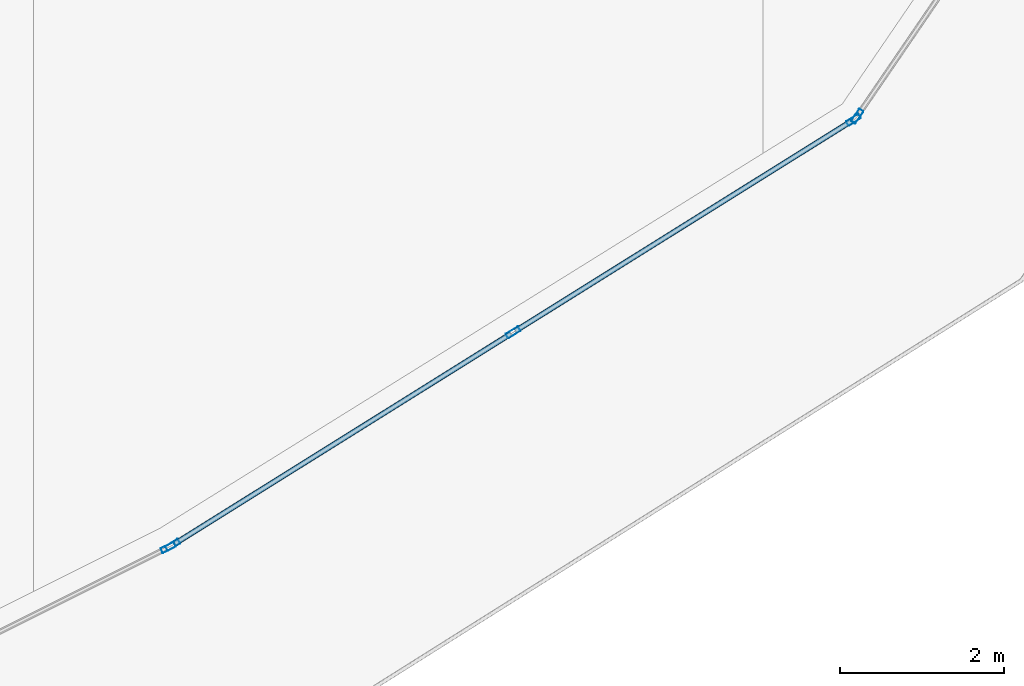
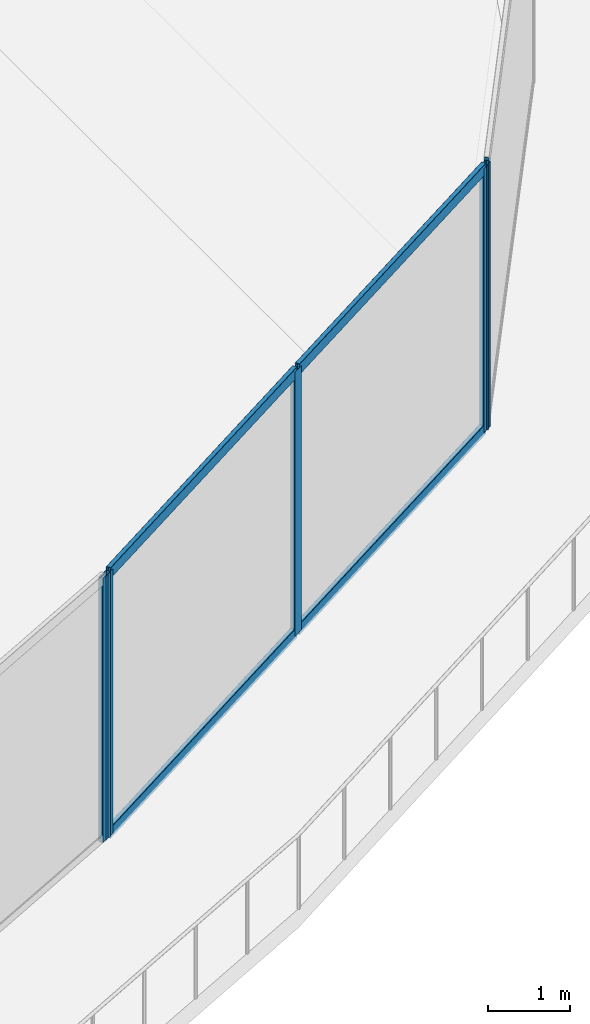
# One storey, part 11 of 52: 9 members, 3 elements without a shape of their own.
"""IFC4 building model written with IfcOpenShell, lengths in metres."""

import ifcopenshell
import ifcopenshell.guid

model = None  # the IFC model being written
_history = None  # IfcOwnerHistory: only IFC2X3 demands one
_inside = {}  # id of a spatial element -> (the spatial element, [elements in it])
_under = {}  # id of a project, library or spatial element -> (it, [spatial elements below it])
_declared = {}  # id of a project -> (the project, [libraries it declares])
_typed = {}  # id of a type object -> (the type object, [elements of that type])
_made_of = {}  # id of a material, layer set ... -> (it, [elements and type objects made of it])


def new_model(schema):
    """Start an empty IFC model of exactly this schema.

    Asked for "IFC4X3", IfcOpenShell would pick the latest addendum, in which some entities
    have other attributes; the version numbers below select the first issue.
    IFC2X3 requires an IfcOwnerHistory on every rooted entity: one is made here for all.
    """
    global model, _history
    if schema == "IFC4X3":
        model = ifcopenshell.file(schema_version=(4, 3, 0, 0))
    else:
        model = ifcopenshell.file(schema=schema)
    _inside.clear()
    _under.clear()
    _declared.clear()
    _typed.clear()
    _made_of.clear()
    _history = None
    if model.schema == "IFC2X3":
        org = make("IfcOrganization", Name="unknown")
        user = make(
            "IfcPersonAndOrganization",
            ThePerson=make("IfcPerson", FamilyName="unknown"),
            TheOrganization=org,
        )
        app = make(
            "IfcApplication",
            ApplicationDeveloper=org,
            Version="unknown",
            ApplicationFullName="unknown",
            ApplicationIdentifier="unknown",
        )
        _history = make(
            "IfcOwnerHistory",
            OwningUser=user,
            OwningApplication=app,
            ChangeAction="ADDED",
            CreationDate=0,
        )
    return model


def make(cls, **values):
    """One entity of the class cls with the attributes given. An attribute that is None is left unset."""
    return model.create_entity(
        cls, **{name: value for name, value in values.items() if value is not None}
    )


def rooted(cls, **values):
    """An entity with a GlobalId (a new one), such as an element, a storey or a relation."""
    return make(cls, GlobalId=ifcopenshell.guid.new(), OwnerHistory=_history, **values)


def si_unit(unit_type, name, prefix=None):
    """IfcSIUnit, for example si_unit("LENGTHUNIT", "METRE", prefix="MILLI")."""
    return make("IfcSIUnit", UnitType=unit_type, Prefix=prefix, Name=name)


def assignment(units):
    """IfcUnitAssignment: the units of a project."""
    return None if units is None else make("IfcUnitAssignment", Units=units)


def point(xyz):
    """IfcCartesianPoint."""
    return None if xyz is None else make("IfcCartesianPoint", Coordinates=xyz)


def direction(xyz):
    """IfcDirection."""
    return None if xyz is None else make("IfcDirection", DirectionRatios=xyz)


def frame(location, z_axis=None, x_axis=None):
    """IfcAxis2Placement3D, a coordinate frame: its origin and axes. An axis left out is left unset."""
    return make(
        "IfcAxis2Placement3D",
        Location=point(location),
        Axis=direction(z_axis),
        RefDirection=direction(x_axis),
    )


def frame_2d(location, x_axis=None):
    """IfcAxis2Placement2D, a coordinate frame in the plane: its origin and x axis."""
    return make(
        "IfcAxis2Placement2D", Location=point(location), RefDirection=direction(x_axis)
    )


def origin():
    """The frame at (0, 0, 0) with its axes left unset."""
    return frame((0.0, 0.0, 0.0))


def origin_2d():
    """The frame at (0, 0) in the plane with its x axis left unset."""
    return frame_2d((0.0, 0.0))


def place(relative_to, where):
    """IfcLocalPlacement: puts the frame where relative to a parent placement (None: the world)."""
    return make(
        "IfcLocalPlacement", PlacementRelTo=relative_to, RelativePlacement=where
    )


def context(
    kind, dimensions, precision=None, world=None, true_north=None, identifier=None
):
    """IfcGeometricRepresentationContext, for example the 3D "Model" context."""
    return make(
        "IfcGeometricRepresentationContext",
        ContextIdentifier=identifier,
        ContextType=kind,
        CoordinateSpaceDimension=dimensions,
        Precision=precision,
        WorldCoordinateSystem=world,
        TrueNorth=true_north,
    )


def subcontext(parent, identifier, kind, view, scale=None):
    """IfcGeometricRepresentationSubContext, for example "Body" below "Model"."""
    return make(
        "IfcGeometricRepresentationSubContext",
        ContextIdentifier=identifier,
        ContextType=kind,
        ParentContext=parent,
        TargetScale=scale,
        TargetView=view,
    )


def project(units=None, contexts=None):
    """IfcProject with its units and contexts."""
    return rooted(
        "IfcProject",
        Name="project",
        RepresentationContexts=contexts,
        UnitsInContext=assignment(units),
    )


def spatial(cls, under=None, at=None, **own):
    """A site, building, storey or space (cls), placed at a placement, below another one or the project."""
    s = rooted(cls, ObjectPlacement=at, **own)
    if under is not None:
        _under.setdefault(under.id(), (under, []))[1].append(s)
    return s


def profile(cls, at=None, kind="AREA", **sizes):
    """A parametric profile (cls). Its sizes go by their IFC names, for example OverallWidth=200.0."""
    return make(cls, ProfileType=kind, Position=at, **sizes)


def hollow_rectangle(**sizes):
    """IfcRectangleHollowProfileDef."""
    return profile("IfcRectangleHollowProfileDef", **sizes)


def extrude(swept, where, along, depth):
    """IfcExtrudedAreaSolid: the profile swept, set in the frame where, extruded along a direction by depth."""
    return make(
        "IfcExtrudedAreaSolid",
        SweptArea=swept,
        Position=where,
        ExtrudedDirection=direction(along),
        Depth=depth,
    )


def shape(context_of_items, identifier, shape_type, items):
    """IfcShapeRepresentation: the items that make up one representation, for example the "Body"."""
    return make(
        "IfcShapeRepresentation",
        ContextOfItems=context_of_items,
        RepresentationIdentifier=identifier,
        RepresentationType=shape_type,
        Items=items,
    )


def material(Name=None, Category=None):
    """IfcMaterial."""
    return make("IfcMaterial", Name=Name, Category=Category)


def layer(
    of_material, thickness, ventilated=None, Name=None, Category=None, Priority=None
):
    """IfcMaterialLayer: one layer of a wall or slab, of a material (None: an air gap)."""
    return make(
        "IfcMaterialLayer",
        Material=of_material,
        LayerThickness=thickness,
        IsVentilated=ventilated,
        Name=Name,
        Category=Category,
        Priority=Priority,
    )


def layer_set(layers, Name=None):
    """IfcMaterialLayerSet."""
    return make("IfcMaterialLayerSet", MaterialLayers=layers, LayerSetName=Name)


def material_profile(
    of_material, cross_section, Name=None, Category=None, Priority=None
):
    """IfcMaterialProfile: a cross section and its material."""
    return make(
        "IfcMaterialProfile",
        Name=Name,
        Material=of_material,
        Profile=cross_section,
        Priority=Priority,
        Category=Category,
    )


def profile_set(profiles, Name=None, composite=None):
    """IfcMaterialProfileSet."""
    return make(
        "IfcMaterialProfileSet",
        Name=Name,
        MaterialProfiles=profiles,
        CompositeProfile=composite,
    )


def made_of(thing, what):
    """Note that an element or type object is made of a material, layer set ...; save() writes the relation."""
    if what is not None:
        _made_of.setdefault(what.id(), (what, []))[1].append(thing)
    return thing


def type_object(cls, material=None, **own):
    """A type object (cls), such as IfcWallType, which elements share."""
    return made_of(rooted(cls, **own), material)


def element(
    cls,
    number,
    at=None,
    inside=None,
    cuts=None,
    type_object=None,
    material=None,
    context=None,
    identifier="Body",
    shape_type=None,
    held_by="IfcProductDefinitionShape",
    body=None,
    shapes=None,
    **own,
):
    """One element of the class cls, such as IfcWall. Its Tag is "e" and its number.

    at: its placement. inside: the storey or other place that contains it. cuts: it is an
    opening in that element (IfcRelVoidsElement). A single representation is given by context,
    identifier, shape_type and body (its items); several are given by shapes. held_by: the class
    of the entity that holds the representations. save() writes the other relations.
    """
    e = rooted(cls, Tag="e%d" % number, ObjectPlacement=at, **own)
    if body is not None:
        shapes = [shape(context, identifier, shape_type, body)]
    if shapes is not None:
        e.Representation = make(held_by, Representations=shapes)
    if inside is not None:
        _inside.setdefault(inside.id(), (inside, []))[1].append(e)
    if cuts is not None:
        rooted(
            "IfcRelVoidsElement", RelatingBuildingElement=cuts, RelatedOpeningElement=e
        )
    if type_object is not None:
        _typed.setdefault(type_object.id(), (type_object, []))[1].append(e)
    return made_of(e, material)


def aggregate(whole, parts):
    """IfcRelAggregates: a whole, such as a stair, and the parts it consists of."""
    return rooted("IfcRelAggregates", RelatingObject=whole, RelatedObjects=parts)


def save(model, path):
    """Write the relations noted so far, then the file.

    IfcRelAggregates (storeys below a building ...), IfcRelContainedInSpatialStructure (elements
    in a storey), IfcRelDefinesByType, IfcRelAssociatesMaterial and IfcRelDeclares: one each for
    every whole, place, type object, material and project.
    """
    for whole, parts in _under.values():
        aggregate(whole, parts)
    for where, things in _inside.values():
        rooted(
            "IfcRelContainedInSpatialStructure",
            RelatedElements=things,
            RelatingStructure=where,
        )
    for kind, things in _typed.values():
        rooted("IfcRelDefinesByType", RelatedObjects=things, RelatingType=kind)
    for what, things in _made_of.values():
        rooted("IfcRelAssociatesMaterial", RelatedObjects=things, RelatingMaterial=what)
    for by, libraries in _declared.values():
        rooted("IfcRelDeclares", RelatingContext=by, RelatedDefinitions=libraries)
    model.write(path)


model = new_model("IFC4")

# Units and contexts
model_context = context("Model", 3, precision=1e-05, world=origin(), true_north=direction((0.0, 1.0)))
body_context = subcontext(model_context, "Body", "Model", "MODEL_VIEW")
ifc_project = project(units=[si_unit("LENGTHUNIT", "METRE"), si_unit("AREAUNIT", "SQUARE_METRE"), si_unit("VOLUMEUNIT", "CUBIC_METRE"), si_unit("PLANEANGLEUNIT", "RADIAN"), si_unit("MASSUNIT", "GRAM", prefix="KILO")], contexts=[model_context])

# Site, building, storey
site_placement = place(None, origin())
site = spatial("IfcSite", under=ifc_project, at=site_placement, CompositionType="ELEMENT")
building_placement = place(site_placement, origin())
building = spatial("IfcBuilding", under=site, at=building_placement, Name="Qorvath Tower", CompositionType="ELEMENT")
storey_placement = place(building_placement, frame((0.0, 0.0, 61.800048828125)))
storey = spatial("IfcBuildingStorey", under=building, at=storey_placement, Name="L13", CompositionType="ELEMENT", Elevation=61.800048828125)

# Curtain wall, member
ifc_material_1 = material(Name="Anodised aluminium and triple low-E glass", Category="aluminium")
ifc_layer = layer(ifc_material_1, 0.179931640625)
ifc_layer_set = layer_set([ifc_layer], Name="CW-SYS-2")
curtain_wall_type = type_object("IfcCurtainWallType", Name="CW-SYS-2", PredefinedType="NOTDEFINED", material=ifc_layer_set)
curtain_wall_1_placement = place(storey_placement, origin())
curtain_wall_1 = element("IfcCurtainWall", 1, at=curtain_wall_1_placement, inside=storey, type_object=curtain_wall_type, Name="Curtain Wall CW-2 CW-T-L13-3.1", PredefinedType="NOTDEFINED")
ifc_material_2 = material(Name="Anodised aluminium 6063-T6", Category="aluminium")
ifc_material_profile_1 = material_profile(ifc_material_2, hollow_rectangle(XDim=0.06494140625, YDim=0.179931640625, WallThickness=0.00341796875, InnerFilletRadius=0.00341796875, OuterFilletRadius=0.007080078125, at=origin_2d()), Name="CWM 180x65")
ifc_profile_set_1 = profile_set([ifc_material_profile_1], Name="Anodised aluminium 6063-T6")
member_type_1 = type_object("IfcMemberType", Name="CWM-180", PredefinedType="MULLION", material=ifc_profile_set_1)
member_1_placement = place(storey_placement, frame((-10.397705078125, -30.495849609375, 0.0), z_axis=(0.0, 0.0, 1.0), x_axis=(-0.447213595499, 0.894427191001, 0.0)))
member_1 = element("IfcMember", 2, at=member_1_placement, type_object=member_type_1, Name="CW-2 mullion 2", PredefinedType="MULLION", context=body_context, shape_type="SweptSolid", body=[
    extrude(hollow_rectangle(XDim=0.06494140625, YDim=0.179931640625, WallThickness=0.00341796875, InnerFilletRadius=0.00341796875, OuterFilletRadius=0.007080078125, at=origin_2d()), origin(), (0.0, 0.0, 1.0), 3.919921875),
])
aggregate(curtain_wall_1, [member_1])

# Curtain wall, members
curtain_wall_2_placement = place(storey_placement, origin())
curtain_wall_2 = element("IfcCurtainWall", 3, at=curtain_wall_2_placement, inside=storey, type_object=curtain_wall_type, Name="Curtain Wall CW-2 CW-T-L13-4.1", PredefinedType="NOTDEFINED")
member_2_placement = place(storey_placement, frame((-10.341064453125, -30.4638671875, 0.0), z_axis=(0.0, 0.0, 1.0), x_axis=(-0.529691684986, 0.848190261001, 0.0)))
member_2 = element("IfcMember", 4, at=member_2_placement, type_object=member_type_1, Name="CW-2 mullion 1", PredefinedType="MULLION", context=body_context, shape_type="SweptSolid", body=[
    extrude(hollow_rectangle(XDim=0.06494140625, YDim=0.179931640625, WallThickness=0.00341796875, InnerFilletRadius=0.00341796875, OuterFilletRadius=0.007080078125, at=origin_2d()), origin(), (0.0, 0.0, 1.0), 3.919921875),
])
member_3_placement = place(storey_placement, frame((-6.199462890625, -27.87744140625, 0.0), z_axis=(0.0, 0.0, 1.0), x_axis=(-0.529691684986, 0.848190261001, 0.0)))
member_3 = element("IfcMember", 5, at=member_3_placement, type_object=member_type_1, Name="CW-2 mullion 2", PredefinedType="MULLION", context=body_context, shape_type="SweptSolid", body=[
    extrude(hollow_rectangle(XDim=0.06494140625, YDim=0.179931640625, WallThickness=0.00341796875, InnerFilletRadius=0.00341796875, OuterFilletRadius=0.007080078125, at=origin_2d()), origin(), (0.0, 0.0, 1.0), 3.919921875),
])
member_4_placement = place(storey_placement, frame((-2.057861328125, -25.291015625, 0.0), z_axis=(0.0, 0.0, 1.0), x_axis=(-0.529691684986, 0.848190261001, 0.0)))
member_4 = element("IfcMember", 6, at=member_4_placement, type_object=member_type_1, Name="CW-2 mullion 3", PredefinedType="MULLION", context=body_context, shape_type="SweptSolid", body=[
    extrude(hollow_rectangle(XDim=0.06494140625, YDim=0.179931640625, WallThickness=0.00341796875, InnerFilletRadius=0.00341796875, OuterFilletRadius=0.007080078125, at=origin_2d()), origin(), (0.0, 0.0, 1.0), 3.919921875),
])

# Curtain wall, member
curtain_wall_3_placement = place(storey_placement, origin())
curtain_wall_3 = element("IfcCurtainWall", 7, at=curtain_wall_3_placement, inside=storey, type_object=curtain_wall_type, Name="Curtain Wall CW-2 CW-T-L13-5.1", PredefinedType="NOTDEFINED")
member_5_placement = place(storey_placement, frame((-2.011962890625, -25.2470703125, 0.0), z_axis=(0.0, 0.0, 1.0), x_axis=(-0.825808847881, 0.563950127903, 0.0)))
member_5 = element("IfcMember", 8, at=member_5_placement, type_object=member_type_1, Name="CW-2 mullion 1", PredefinedType="MULLION", context=body_context, shape_type="SweptSolid", body=[
    extrude(hollow_rectangle(XDim=0.06494140625, YDim=0.179931640625, WallThickness=0.00341796875, InnerFilletRadius=0.00341796875, OuterFilletRadius=0.007080078125, at=origin_2d()), origin(), (0.0, 0.0, 1.0), 3.919921875),
])
aggregate(curtain_wall_3, [member_5])

# Member
ifc_material_3 = material(Name="Anodised aluminium 6063-T6", Category="aluminium")
ifc_material_profile_2 = material_profile(ifc_material_3, hollow_rectangle(XDim=0.06494140625, YDim=0.159912109375, WallThickness=0.00341796875, InnerFilletRadius=0.00341796875, OuterFilletRadius=0.007080078125, at=origin_2d()), Name="CWT 160x65")
ifc_profile_set_2 = profile_set([ifc_material_profile_2], Name="Anodised aluminium 6063-T6")
member_type_2 = type_object("IfcMemberType", Name="CWT-160", PredefinedType="USERDEFINED", material=ifc_profile_set_2)
member_6_placement = place(storey_placement, frame((-10.3134765625, -30.44677734375, 0.032470703125), z_axis=(0.848186144124, 0.529698277245, 0.0), x_axis=(-0.529698277245, 0.848186144124, 0.0)))
member_6 = element("IfcMember", 9, at=member_6_placement, type_object=member_type_2, Name="CW-2 transom 1.1", ObjectType="TRANSOM", PredefinedType="USERDEFINED", context=body_context, shape_type="SweptSolid", body=[
    extrude(hollow_rectangle(XDim=0.06494140625, YDim=0.159912109375, WallThickness=0.00341796875, InnerFilletRadius=0.00341796875, OuterFilletRadius=0.007080078125, at=origin_2d()), origin(), (0.0, 0.0, 1.0), 4.81787109375),
])

member_7_placement = place(storey_placement, frame((-10.3134765625, -30.44677734375, 3.887451171875), z_axis=(0.848186144124, 0.529698277245, 0.0), x_axis=(-0.529698277245, 0.848186144124, 0.0)))
member_7 = element("IfcMember", 10, at=member_7_placement, type_object=member_type_2, Name="CW-2 transom 1.2", ObjectType="TRANSOM", PredefinedType="USERDEFINED", context=body_context, shape_type="SweptSolid", body=[
    extrude(hollow_rectangle(XDim=0.06494140625, YDim=0.159912109375, WallThickness=0.00341796875, InnerFilletRadius=0.00341796875, OuterFilletRadius=0.007080078125, at=origin_2d()), origin(), (0.0, 0.0, 1.0), 4.81787109375),
])

member_8_placement = place(storey_placement, frame((-6.171875, -27.8603515625, 0.032470703125), z_axis=(0.848186144124, 0.529698277245, 0.0), x_axis=(-0.529698277245, 0.848186144124, 0.0)))
member_8 = element("IfcMember", 11, at=member_8_placement, type_object=member_type_2, Name="CW-2 transom 2.1", ObjectType="TRANSOM", PredefinedType="USERDEFINED", context=body_context, shape_type="SweptSolid", body=[
    extrude(hollow_rectangle(XDim=0.06494140625, YDim=0.159912109375, WallThickness=0.00341796875, InnerFilletRadius=0.00341796875, OuterFilletRadius=0.007080078125, at=origin_2d()), origin(), (0.0, 0.0, 1.0), 4.81787109375),
])

member_9_placement = place(storey_placement, frame((-6.171875, -27.8603515625, 3.887451171875), z_axis=(0.848186144124, 0.529698277245, 0.0), x_axis=(-0.529698277245, 0.848186144124, 0.0)))
member_9 = element("IfcMember", 12, at=member_9_placement, type_object=member_type_2, Name="CW-2 transom 2.2", ObjectType="TRANSOM", PredefinedType="USERDEFINED", context=body_context, shape_type="SweptSolid", body=[
    extrude(hollow_rectangle(XDim=0.06494140625, YDim=0.159912109375, WallThickness=0.00341796875, InnerFilletRadius=0.00341796875, OuterFilletRadius=0.007080078125, at=origin_2d()), origin(), (0.0, 0.0, 1.0), 4.81787109375),
])

aggregate(curtain_wall_2, [member_2, member_3, member_4, member_6, member_7, member_8, member_9])

save(model, "model.ifc")
